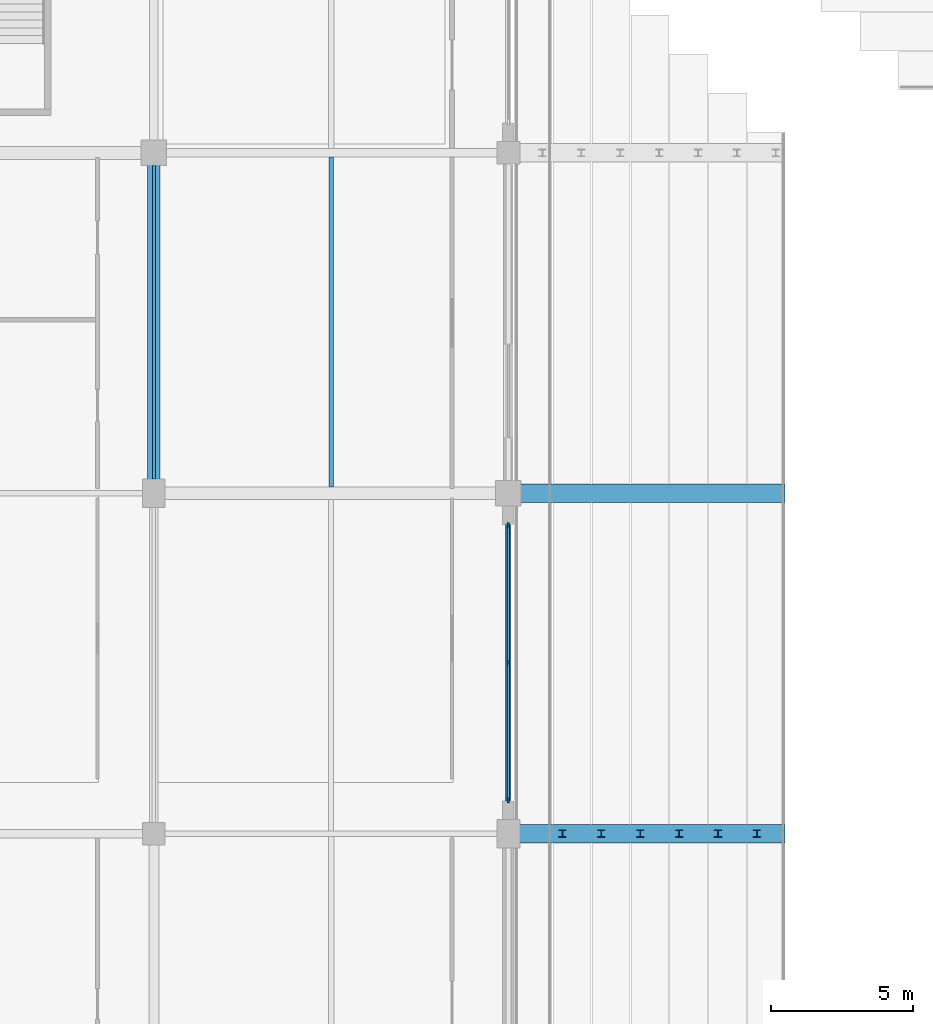
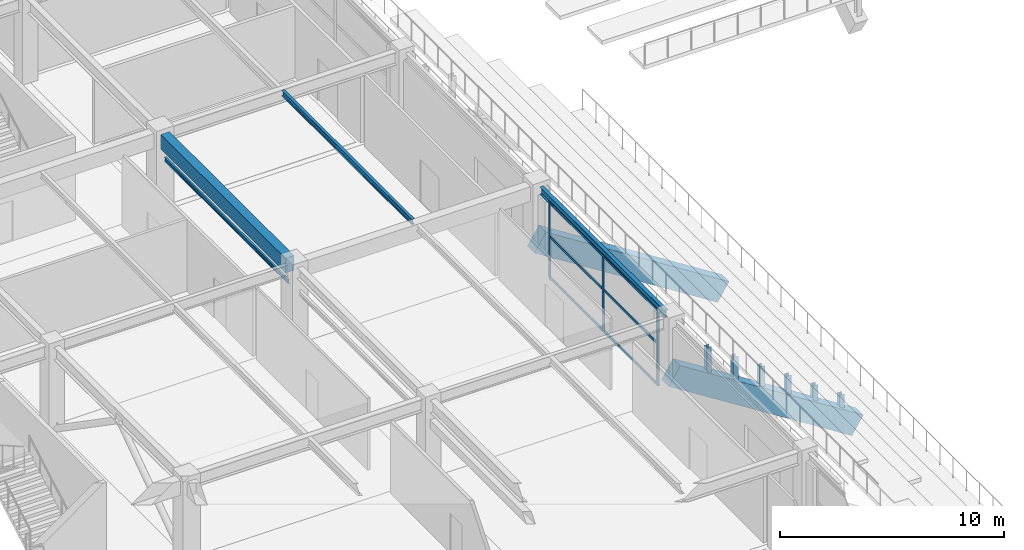
# One storey, part 25 of 134: 15 members, 6 beams, 1 element without a shape of its own.
"""IFC4 building model written with IfcOpenShell, lengths in metres."""

from ifc_helpers import new_model, si_unit, direction, frame, origin, origin_2d, place, context, subcontext, project, spatial, rectangle, i_section, extrude, material, layer, layer_set, material_profile, profile_set, type_object, element, aggregate, save


model = new_model("IFC4")

# Units and contexts
model_context = context("Model", 3, precision=1e-05, world=origin(), true_north=direction((0.0, 1.0)))
body_context = subcontext(model_context, "Body", "Model", "MODEL_VIEW")
ifc_project = project(units=[si_unit("LENGTHUNIT", "METRE"), si_unit("AREAUNIT", "SQUARE_METRE"), si_unit("VOLUMEUNIT", "CUBIC_METRE"), si_unit("PLANEANGLEUNIT", "RADIAN"), si_unit("MASSUNIT", "GRAM", prefix="KILO")], contexts=[model_context])

# Site, building, storey
site_placement = place(None, origin())
site = spatial("IfcSite", under=ifc_project, at=site_placement, CompositionType="ELEMENT")
building_placement = place(site_placement, origin())
building = spatial("IfcBuilding", under=site, at=building_placement, Name="Kazenohara Klinker Stadium", CompositionType="ELEMENT")
storey_placement = place(building_placement, frame((0.0, 0.0, 5.39990234375)))
storey = spatial("IfcBuildingStorey", under=building, at=storey_placement, Name="L01", CompositionType="ELEMENT", Elevation=5.39990234375)

# Beams
ifc_material_1 = material(Name="Steel S355", Category="steel")
ifc_material_profile_1 = material_profile(ifc_material_1, i_section(OverallWidth=0.14990234375, OverallDepth=0.300048828125, WebThickness=0.006591796875, FlangeThickness=0.009033203125, FilletRadius=0.012939453125, at=origin_2d()), Name="H-300x150x6.5x9")
ifc_profile_set_1 = profile_set([ifc_material_profile_1], Name="Steel S355")
beam_type_1 = type_object("IfcBeamType", Name="BM-JST05", PredefinedType="JOIST", material=ifc_profile_set_1)
beam_1_placement = place(storey_placement, frame((42.75, 108.22509765625, 4.400146484375), z_axis=(0.0, 1.0, 0.0), x_axis=(-1.0, 0.0, 0.0)))
element("IfcBeam", 1, at=beam_1_placement, inside=storey, type_object=beam_type_1, Name="Secondary floor joist SJ05 L01 4/K", PredefinedType="JOIST", context=body_context, shape_type="SweptSolid", body=[
    extrude(i_section(OverallWidth=0.14990234375, OverallDepth=0.300048828125, WebThickness=0.006591796875, FlangeThickness=0.009033203125, FilletRadius=0.012939453125, at=origin_2d()), origin(), (0.0, 0.0, 1.0), 11.625),
])
ifc_material_profile_2 = material_profile(ifc_material_1, i_section(OverallWidth=0.10009765625, OverallDepth=0.199951171875, WebThickness=0.005615234375, FlangeThickness=0.008056640625, FilletRadius=0.008056640625, at=origin_2d()), Name="H-200x100x5.5x8")
ifc_profile_set_2 = profile_set([ifc_material_profile_2], Name="Steel S355")
beam_type_2 = type_object("IfcBeamType", Name="BM-LIN03", PredefinedType="LINTEL", material=ifc_profile_set_2)
beam_2_placement = place(storey_placement, frame((36.5, 108.5, 3.150146484375), z_axis=(0.0, 1.0, 0.0), x_axis=(-1.0, 0.0, 0.0)))
element("IfcBeam", 2, at=beam_2_placement, inside=storey, type_object=beam_type_2, Name="Concourse portal lintel LN03 L01-06", PredefinedType="LINTEL", context=body_context, shape_type="SweptSolid", body=[
    extrude(i_section(OverallWidth=0.10009765625, OverallDepth=0.199951171875, WebThickness=0.005615234375, FlangeThickness=0.008056640625, FilletRadius=0.008056640625, at=origin_2d()), origin(), (0.0, 0.0, 1.0), 11.050048828125),
])
ifc_material_2 = material(Name="Concrete C40/50", Category="concrete")
ifc_material_profile_3 = material_profile(ifc_material_2, rectangle(XDim=0.449951171875, YDim=0.800048828125, at=origin_2d()), Name="RC-BM-450x800")
ifc_profile_set_3 = profile_set([ifc_material_profile_3], Name="Concrete C40/50")
beam_type_3 = type_object("IfcBeamType", Name="BM-RC03", PredefinedType="BEAM", material=ifc_profile_set_3)
beam_3_placement = place(storey_placement, frame((36.5, 108.419921875, 4.150146484375), z_axis=(0.0, 1.0, 0.0), x_axis=(-1.0, 0.0, 0.0)))
element("IfcBeam", 3, at=beam_3_placement, inside=storey, type_object=beam_type_3, Name="Primary girder BG03 L01 4/K-L", PredefinedType="BEAM", context=body_context, shape_type="SweptSolid", body=[
    extrude(rectangle(XDim=0.449951171875, YDim=0.800048828125, at=origin_2d()), origin(), (0.0, 0.0, 1.0), 11.16015625),
])
ifc_material_profile_4 = material_profile(ifc_material_1, i_section(OverallWidth=0.199951171875, OverallDepth=0.39990234375, WebThickness=0.008056640625, FlangeThickness=0.012939453125, FilletRadius=0.012939453125, at=origin_2d()), Name="H-400x200x8x13")
ifc_profile_set_4 = profile_set([ifc_material_profile_4], Name="Steel S355")
beam_type_4 = type_object("IfcBeamType", Name="BM-SPD01", PredefinedType="SPANDREL", material=ifc_profile_set_4)
beam_4_placement = place(storey_placement, frame((49.0, 96.419921875, 4.35009765625), z_axis=(0.0, 1.0, 0.0), x_axis=(-1.0, 0.0, 0.0)))
element("IfcBeam", 4, at=beam_4_placement, inside=storey, type_object=beam_type_4, Name="Primary girder SP01 L01 5/J-K", PredefinedType="SPANDREL", context=body_context, shape_type="SweptSolid", body=[
    extrude(i_section(OverallWidth=0.199951171875, OverallDepth=0.39990234375, WebThickness=0.008056640625, FlangeThickness=0.012939453125, FilletRadius=0.012939453125, at=origin_2d()), origin(), (0.0, 0.0, 1.0), 11.16015625),
])

# Curtain wall, members
ifc_material_3 = material(Name="Anodised aluminium and triple glazing", Category="aluminium")
ifc_layer = layer(ifc_material_3, 0.159912109375)
ifc_layer_set = layer_set([ifc_layer], Name="Anodised aluminium and triple glazing")
curtain_wall_type = type_object("IfcCurtainWallType", Name="CW-SYS-01", PredefinedType="USERDEFINED", material=ifc_layer_set)
curtain_wall_placement = place(storey_placement, origin())
curtain_wall = element("IfcCurtainWall", 5, at=curtain_wall_placement, inside=storey, type_object=curtain_wall_type, Name="Unitised facade curtain wall CW01 L01 Y4-8", ObjectType="UNITISED CURTAIN WALL", PredefinedType="USERDEFINED")
ifc_material_4 = material(Name="Anodised aluminium 6063-T6", Category="aluminium")
ifc_material_profile_5 = material_profile(ifc_material_4, rectangle(XDim=0.06494140625, YDim=0.179931640625, at=origin_2d()), Name="ALU-MUL-65x180")
ifc_profile_set_5 = profile_set([ifc_material_profile_5], Name="Anodised aluminium 6063-T6")
member_type_1 = type_object("IfcMemberType", Name="CW-MUL-180", PredefinedType="MULLION", material=ifc_profile_set_5)
member_1_placement = place(storey_placement, frame((49.0, 97.1865234375, 0.0), z_axis=(0.0, 0.0, 1.0), x_axis=(-1.0, 0.0, 0.0)))
member_1 = element("IfcMember", 6, at=member_1_placement, type_object=member_type_1, Name="CW01 mullion 1", PredefinedType="MULLION", context=body_context, shape_type="SweptSolid", body=[
    extrude(rectangle(XDim=0.06494140625, YDim=0.179931640625, at=origin_2d()), origin(), (0.0, 0.0, 1.0), 4.150146484375),
])
member_2_placement = place(storey_placement, frame((49.0, 102.02490234375, 0.0), z_axis=(0.0, 0.0, 1.0), x_axis=(-1.0, 0.0, 0.0)))
member_2 = element("IfcMember", 7, at=member_2_placement, type_object=member_type_1, Name="CW01 mullion 2", PredefinedType="MULLION", context=body_context, shape_type="SweptSolid", body=[
    extrude(rectangle(XDim=0.06494140625, YDim=0.179931640625, at=origin_2d()), origin(), (0.0, 0.0, 1.0), 4.150146484375),
])
member_3_placement = place(storey_placement, frame((49.0, 106.863525390625, 0.0), z_axis=(0.0, 0.0, 1.0), x_axis=(-1.0, 0.0, 0.0)))
member_3 = element("IfcMember", 8, at=member_3_placement, type_object=member_type_1, Name="CW01 mullion 3", PredefinedType="MULLION", context=body_context, shape_type="SweptSolid", body=[
    extrude(rectangle(XDim=0.06494140625, YDim=0.179931640625, at=origin_2d()), origin(), (0.0, 0.0, 1.0), 4.150146484375),
])
ifc_material_profile_6 = material_profile(ifc_material_4, rectangle(XDim=0.06494140625, YDim=0.139892578125, at=origin_2d()), Name="ALU-TRN-65x140")
ifc_profile_set_6 = profile_set([ifc_material_profile_6], Name="Anodised aluminium 6063-T6")
member_type_2 = type_object("IfcMemberType", Name="CW-TRN-140", PredefinedType="USERDEFINED", material=ifc_profile_set_6)
member_4_placement = place(storey_placement, frame((49.0, 97.218994140625, 0.03271484375), z_axis=(0.0, 1.0, 0.0), x_axis=(-1.0, 0.0, 0.0)))
member_4 = element("IfcMember", 9, at=member_4_placement, type_object=member_type_2, Name="CW01 transom 1.1", ObjectType="TRANSOM", PredefinedType="USERDEFINED", context=body_context, shape_type="SweptSolid", body=[
    extrude(rectangle(XDim=0.06494140625, YDim=0.139892578125, at=origin_2d()), origin(), (0.0, 0.0, 1.0), 4.7734375),
])
member_5_placement = place(storey_placement, frame((49.0, 97.218994140625, 2.28271484375), z_axis=(0.0, 1.0, 0.0), x_axis=(-1.0, 0.0, 0.0)))
member_5 = element("IfcMember", 10, at=member_5_placement, type_object=member_type_2, Name="CW01 transom 1.2", ObjectType="TRANSOM", PredefinedType="USERDEFINED", context=body_context, shape_type="SweptSolid", body=[
    extrude(rectangle(XDim=0.06494140625, YDim=0.139892578125, at=origin_2d()), origin(), (0.0, 0.0, 1.0), 4.7734375),
])
member_6_placement = place(storey_placement, frame((49.0, 97.218994140625, 4.11767578125), z_axis=(0.0, 1.0, 0.0), x_axis=(-1.0, 0.0, 0.0)))
member_6 = element("IfcMember", 11, at=member_6_placement, type_object=member_type_2, Name="CW01 transom 1.3", ObjectType="TRANSOM", PredefinedType="USERDEFINED", context=body_context, shape_type="SweptSolid", body=[
    extrude(rectangle(XDim=0.06494140625, YDim=0.139892578125, at=origin_2d()), origin(), (0.0, 0.0, 1.0), 4.7734375),
])
member_7_placement = place(storey_placement, frame((49.0, 102.0576171875, 0.03271484375), z_axis=(0.0, 1.0, 0.0), x_axis=(-1.0, 0.0, 0.0)))
member_7 = element("IfcMember", 12, at=member_7_placement, type_object=member_type_2, Name="CW01 transom 2.1", ObjectType="TRANSOM", PredefinedType="USERDEFINED", context=body_context, shape_type="SweptSolid", body=[
    extrude(rectangle(XDim=0.06494140625, YDim=0.139892578125, at=origin_2d()), origin(), (0.0, 0.0, 1.0), 4.7734375),
])
member_8_placement = place(storey_placement, frame((49.0, 102.0576171875, 2.28271484375), z_axis=(0.0, 1.0, 0.0), x_axis=(-1.0, 0.0, 0.0)))
member_8 = element("IfcMember", 13, at=member_8_placement, type_object=member_type_2, Name="CW01 transom 2.2", ObjectType="TRANSOM", PredefinedType="USERDEFINED", context=body_context, shape_type="SweptSolid", body=[
    extrude(rectangle(XDim=0.06494140625, YDim=0.139892578125, at=origin_2d()), origin(), (0.0, 0.0, 1.0), 4.7734375),
])
member_9_placement = place(storey_placement, frame((49.0, 102.0576171875, 4.11767578125), z_axis=(0.0, 1.0, 0.0), x_axis=(-1.0, 0.0, 0.0)))
member_9 = element("IfcMember", 14, at=member_9_placement, type_object=member_type_2, Name="CW01 transom 2.3", ObjectType="TRANSOM", PredefinedType="USERDEFINED", context=body_context, shape_type="SweptSolid", body=[
    extrude(rectangle(XDim=0.06494140625, YDim=0.139892578125, at=origin_2d()), origin(), (0.0, 0.0, 1.0), 4.7734375),
])
aggregate(curtain_wall, [member_1, member_2, member_3, member_4, member_5, member_6, member_7, member_8, member_9])

# Members
ifc_material_profile_7 = material_profile(ifc_material_1, i_section(OverallWidth=0.25, OverallDepth=0.25, WebThickness=0.009033203125, FlangeThickness=0.013916015625, FilletRadius=0.012939453125, at=origin_2d()), Name="H-250x250x9x14")
ifc_profile_set_7 = profile_set([ifc_material_profile_7], Name="Steel S355")
member_type_3 = type_object("IfcMemberType", Name="MEM-STR02", PredefinedType="STRUT", material=ifc_profile_set_7)
member_10_placement = place(storey_placement, frame((50.904296875, 96.0, 0.407470703125), z_axis=(0.0, 0.0, 1.0), x_axis=(1.0, 0.0, 0.0)))
element("IfcMember", 15, at=member_10_placement, inside=storey, type_object=member_type_3, Name="Precast tier riser stool LOWER-W-02-08", PredefinedType="STRUT", context=body_context, shape_type="SweptSolid", body=[
    extrude(i_section(OverallWidth=0.25, OverallDepth=0.25, WebThickness=0.009033203125, FlangeThickness=0.013916015625, FilletRadius=0.012939453125, at=origin_2d()), origin(), (0.0, 0.0, 1.0), 1.78271484375),
])
member_11_placement = place(storey_placement, frame((52.275634765625, 96.0, -0.463134765625), z_axis=(0.0, 0.0, 1.0), x_axis=(1.0, 0.0, 0.0)))
element("IfcMember", 16, at=member_11_placement, inside=storey, type_object=member_type_3, Name="Precast tier riser stool LOWER-W-03-08", PredefinedType="STRUT", context=body_context, shape_type="SweptSolid", body=[
    extrude(i_section(OverallWidth=0.25, OverallDepth=0.25, WebThickness=0.009033203125, FlangeThickness=0.013916015625, FilletRadius=0.012939453125, at=origin_2d()), origin(), (0.0, 0.0, 1.0), 1.6533203125),
])
member_12_placement = place(storey_placement, frame((53.647216796875, 96.0, -1.333984375), z_axis=(0.0, 0.0, 1.0), x_axis=(1.0, 0.0, 0.0)))
element("IfcMember", 17, at=member_12_placement, inside=storey, type_object=member_type_3, Name="Precast tier riser stool LOWER-W-04-08", PredefinedType="STRUT", context=body_context, shape_type="SweptSolid", body=[
    extrude(i_section(OverallWidth=0.25, OverallDepth=0.25, WebThickness=0.009033203125, FlangeThickness=0.013916015625, FilletRadius=0.012939453125, at=origin_2d()), origin(), (0.0, 0.0, 1.0), 1.524169921875),
])
member_13_placement = place(storey_placement, frame((55.0185546875, 96.0, -2.20458984375), z_axis=(0.0, 0.0, 1.0), x_axis=(1.0, 0.0, 0.0)))
element("IfcMember", 18, at=member_13_placement, inside=storey, type_object=member_type_3, Name="Precast tier riser stool LOWER-W-05-08", PredefinedType="STRUT", context=body_context, shape_type="SweptSolid", body=[
    extrude(i_section(OverallWidth=0.25, OverallDepth=0.25, WebThickness=0.009033203125, FlangeThickness=0.013916015625, FilletRadius=0.012939453125, at=origin_2d()), origin(), (0.0, 0.0, 1.0), 1.394775390625),
])
member_14_placement = place(storey_placement, frame((56.389892578125, 96.0, -3.075439453125), z_axis=(0.0, 0.0, 1.0), x_axis=(1.0, 0.0, 0.0)))
element("IfcMember", 19, at=member_14_placement, inside=storey, type_object=member_type_3, Name="Precast tier riser stool LOWER-W-06-08", PredefinedType="STRUT", context=body_context, shape_type="SweptSolid", body=[
    extrude(i_section(OverallWidth=0.25, OverallDepth=0.25, WebThickness=0.009033203125, FlangeThickness=0.013916015625, FilletRadius=0.012939453125, at=origin_2d()), origin(), (0.0, 0.0, 1.0), 1.265625),
])
member_15_placement = place(storey_placement, frame((57.761474609375, 96.0, -3.9462890625), z_axis=(0.0, 0.0, 1.0), x_axis=(1.0, 0.0, 0.0)))
element("IfcMember", 20, at=member_15_placement, inside=storey, type_object=member_type_3, Name="Precast tier riser stool LOWER-W-07-08", PredefinedType="STRUT", context=body_context, shape_type="SweptSolid", body=[
    extrude(i_section(OverallWidth=0.25, OverallDepth=0.25, WebThickness=0.009033203125, FlangeThickness=0.013916015625, FilletRadius=0.012939453125, at=origin_2d()), origin(), (0.0, 0.0, 1.0), 1.136474609375),
])

# Beams
ifc_material_5 = material(Name="Precast concrete C50/60", Category="concrete")
ifc_material_profile_8 = material_profile(ifc_material_5, rectangle(XDim=0.64990234375, YDim=1.10009765625, at=origin_2d()), Name="PC-RAKER-650x1100")
ifc_profile_set_8 = profile_set([ifc_material_profile_8], Name="Precast concrete C50/60")
beam_type_5 = type_object("IfcBeamType", Name="RAKER-RK01", PredefinedType="USERDEFINED", material=ifc_profile_set_8)
for number, where, z_axis, x_axis, name in (
    (21, (49.0, 96.0, 1.401611328125), (0.844211562005, 0.0, -0.536010110518), (0.0, 1.0, 0.0), "Precast bowl raker girder RK01 LOWER West J"),
    (22, (49.0, 108.0, 1.401611328125), (0.844211562005, 0.0, -0.536010110518), (0.0, 1.0, 0.0), "Precast bowl raker girder RK01 LOWER West K"),
):
    element("IfcBeam", number, at=place(storey_placement, frame(where, z_axis=z_axis, x_axis=x_axis)), inside=storey, type_object=beam_type_5, Name=name, ObjectType="RAKER", PredefinedType="USERDEFINED", context=body_context, shape_type="SweptSolid", body=[
        extrude(rectangle(XDim=0.64990234375, YDim=1.10009765625, at=origin_2d()), origin(), (0.0, 0.0, 1.0), 11.19384765625),
    ])

save(model, "model.ifc")
